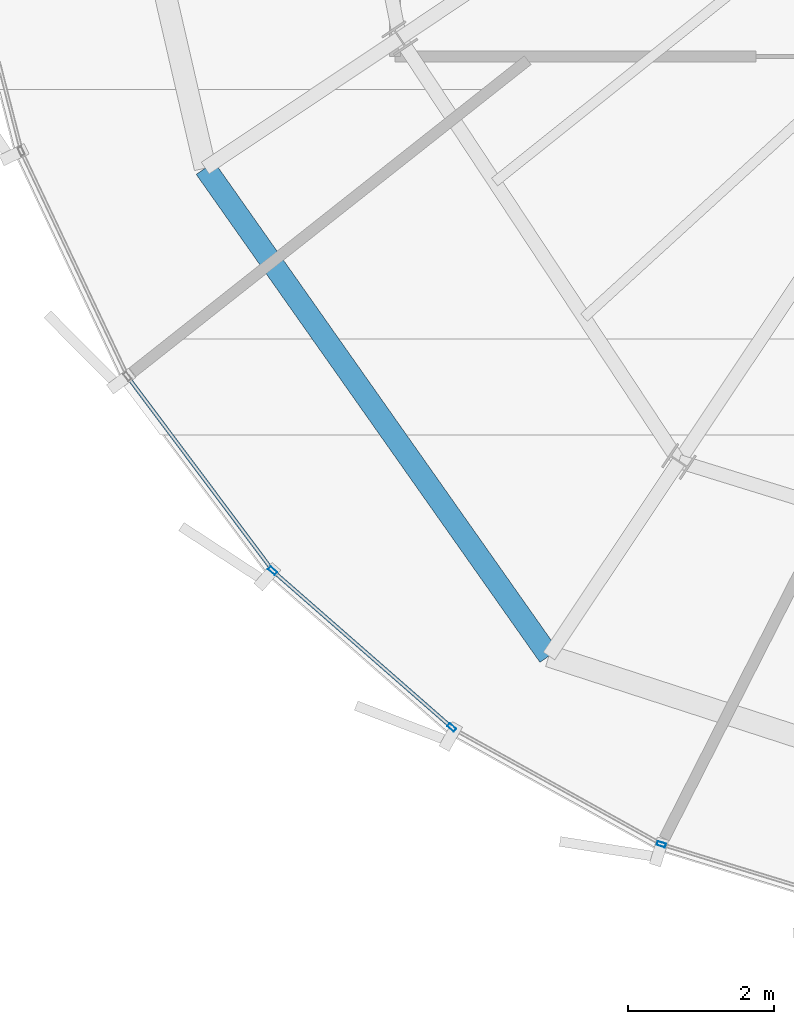
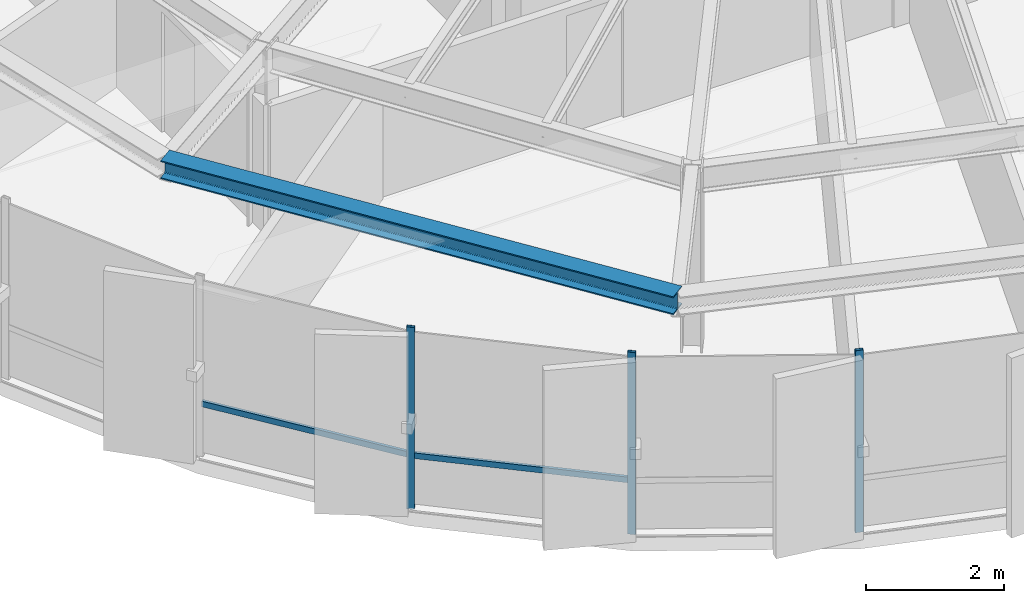
# One storey, part 2 of 33: 5 members, 1 beam, 2 elements without a shape of their own.
"""IFC4 building model written with IfcOpenShell, lengths in metres."""

from ifc_helpers import new_model, si_unit, direction, frame, origin, origin_2d, place, context, subcontext, project, spatial, hollow_rectangle, i_section, extrude, source, transform, mapped, material, layer, layer_set, material_profile, profile_set, type_object, element, aggregate, save


model = new_model("IFC4")

# Units and contexts
model_context = context("Model", 3, precision=1e-05, world=origin(), true_north=direction((0.0, 1.0)))
body_context = subcontext(model_context, "Body", "Model", "MODEL_VIEW")
ifc_project = project(units=[si_unit("LENGTHUNIT", "METRE"), si_unit("AREAUNIT", "SQUARE_METRE"), si_unit("VOLUMEUNIT", "CUBIC_METRE"), si_unit("PLANEANGLEUNIT", "RADIAN"), si_unit("MASSUNIT", "GRAM", prefix="KILO"), si_unit("THERMODYNAMICTEMPERATUREUNIT", "KELVIN")], contexts=[model_context])

# Site, building, storey
site_placement = place(None, origin())
site = spatial("IfcSite", under=ifc_project, at=site_placement, CompositionType="ELEMENT")
building_placement = place(site_placement, origin())
building = spatial("IfcBuilding", under=site, at=building_placement, Name="Kethvar Cultural Tower", CompositionType="ELEMENT")
storey_placement = place(building_placement, frame((0.0, 0.0, 256.0)))
storey = spatial("IfcBuildingStorey", under=building, at=storey_placement, Name="L67", CompositionType="ELEMENT", Elevation=256.0)

# Beam
ifc_material_1 = material(Name="Steel S355J2", Category="steel")
ifc_material_profile_1 = material_profile(ifc_material_1, i_section(OverallWidth=0.300048828125, OverallDepth=0.320068359375, WebThickness=0.011474609375, FlangeThickness=0.0205078125, FilletRadius=0.027099609375, at=origin_2d()), Name="Steel S355J2 — HEB320")
ifc_profile_set_1 = profile_set([ifc_material_profile_1], Name="Steel S355J2 — HEB320")
beam_type = type_object("IfcBeamType", Name="BM-SP320", PredefinedType="SPANDREL", material=ifc_profile_set_1)
shared_shape_1 = source(origin(), body_context, "Body", "SweptSolid", [
    extrude(i_section(OverallWidth=0.300048828125, OverallDepth=0.320068359375, WebThickness=0.011474609375, FlangeThickness=0.0205078125, FilletRadius=0.027099609375, at=origin_2d()), origin(), (0.0, 0.0, 1.0), 8.16259765625),
])
beam_placement = place(storey_placement, frame((30.252197265625, 16.7431640625, 3.048095703125), z_axis=(0.575940812748, -0.817491394579, 0.0), x_axis=(0.817491394579, 0.575940812748, 0.0)))
element("IfcBeam", 1, at=beam_placement, inside=storey, type_object=beam_type, Name="L67 Perimeter Spandrel Beam SP-10", PredefinedType="SPANDREL", context=body_context, shape_type="MappedRepresentation", body=[
    mapped(shared_shape_1, transform((0.0, 0.0, 0.0), scale=1.0)),
])

# Curtain wall, members
ifc_material_2 = material(Name="Aluminium 6063-T6", Category="aluminium")
ifc_layer = layer(ifc_material_2, 0.179931640625, Name="Aluminium 6063-T6", Category="aluminium")
ifc_layer_set = layer_set([ifc_layer], Name="Aluminium 6063-T6 (180 mm)")
curtain_wall_type = type_object("IfcCurtainWallType", Name="CW-SYS-05-Z56", PredefinedType="NOTDEFINED", material=ifc_layer_set)
curtain_wall_1_placement = place(storey_placement, origin())
curtain_wall_1 = element("IfcCurtainWall", 2, at=curtain_wall_1_placement, inside=storey, type_object=curtain_wall_type, Name="L67 Curtain Wall Run 03", PredefinedType="NOTDEFINED")
ifc_material_profile_2 = material_profile(ifc_material_2, hollow_rectangle(XDim=0.054931640625, YDim=0.1201171875, WallThickness=0.00390625, at=origin_2d()), Name="Aluminium 6063-T6 — RHS120x55x4")
ifc_profile_set_2 = profile_set([ifc_material_profile_2], Name="Aluminium 6063-T6 — RHS120x55x4")
member_type_1 = type_object("IfcMemberType", Name="CW-SYS-05-Z56-MUL", PredefinedType="MULLION", material=ifc_profile_set_2)
shared_shape_2 = source(origin(), body_context, "Body", "SweptSolid", [
    extrude(hollow_rectangle(XDim=0.054931640625, YDim=0.1201171875, WallThickness=0.00390625, at=origin_2d()), origin(), (0.0, 0.0, 1.0), 3.2099609375),
])
member_1_placement = place(storey_placement, frame((31.173583984375, 11.237548828125, 0.0), z_axis=(0.0, 0.0, 1.0), x_axis=(0.658571262935, 0.752518366311, 0.0)))
member_1 = element("IfcMember", 3, at=member_1_placement, type_object=member_type_1, Name="CW-L67-R03 Mullion 6", PredefinedType="MULLION", context=body_context, shape_type="MappedRepresentation", body=[
    mapped(shared_shape_2, transform((0.0, 0.0, 0.0), scale=1.0)),
])
member_2_placement = place(storey_placement, frame((33.622802734375, 9.093994140625, 0.0), z_axis=(0.0, 0.0, 1.0), x_axis=(0.658571262935, 0.752518366311, 0.0)))
member_2 = element("IfcMember", 4, at=member_2_placement, type_object=member_type_1, Name="CW-L67-R03 Mullion 7", PredefinedType="MULLION", context=body_context, shape_type="MappedRepresentation", body=[
    mapped(shared_shape_2, transform((0.0, 0.0, 0.0), scale=1.0)),
])

# Curtain wall, member
curtain_wall_2_placement = place(storey_placement, origin())
curtain_wall_2 = element("IfcCurtainWall", 5, at=curtain_wall_2_placement, inside=storey, type_object=curtain_wall_type, Name="L67 Curtain Wall Run 04", PredefinedType="NOTDEFINED")
member_3_placement = place(storey_placement, frame((36.49072265625, 7.4951171875, 0.0), z_axis=(0.0, 0.0, 1.0), x_axis=(0.292355014012, 0.956309858666, 0.0)))
member_3 = element("IfcMember", 6, at=member_3_placement, type_object=member_type_1, Name="CW-L67-R04 Mullion 2", PredefinedType="MULLION", context=body_context, shape_type="MappedRepresentation", body=[
    mapped(shared_shape_2, transform((0.0, 0.0, 0.0), scale=1.0)),
])
aggregate(curtain_wall_2, [member_3])

# Member
ifc_material_profile_3 = material_profile(ifc_material_2, hollow_rectangle(XDim=0.050048828125, YDim=0.10009765625, WallThickness=0.00390625, at=origin_2d()), Name="Aluminium 6063-T6 — RHS100x50x4")
ifc_profile_set_3 = profile_set([ifc_material_profile_3], Name="Aluminium 6063-T6 — RHS100x50x4")
member_type_2 = type_object("IfcMemberType", Name="CW-SYS-05-Z56-TRN", PredefinedType="USERDEFINED", material=ifc_profile_set_3)
shared_shape_3 = source(origin(), body_context, "Body", "SweptSolid", [
    extrude(hollow_rectangle(XDim=0.050048828125, YDim=0.10009765625, WallThickness=0.00390625, at=origin_2d()), origin(), (0.0, 0.0, 1.0), 3.258544921875),
])
member_4_placement = place(storey_placement, frame((29.212158203125, 13.863037109375, 0.949951171875), z_axis=(0.599028524907, -0.800727685514, 0.0), x_axis=(0.800727685514, 0.599028524907, 0.0)))
member_4 = element("IfcMember", 7, at=member_4_placement, type_object=member_type_2, Name="CW-L67-R03 Transom 5", ObjectType="TRANSOM", PredefinedType="USERDEFINED", context=body_context, shape_type="MappedRepresentation", body=[
    mapped(shared_shape_3, transform((0.0, 0.0, 0.0), scale=1.0)),
])

shared_shape_4 = source(origin(), body_context, "Body", "SweptSolid", [
    extrude(hollow_rectangle(XDim=0.050048828125, YDim=0.10009765625, WallThickness=0.00390625, at=origin_2d()), origin(), (0.0, 0.0, 1.0), 3.211181640625),
])
member_5_placement = place(storey_placement, frame((31.203369140625, 11.21142578125, 0.949951171875), z_axis=(0.752529595512, -0.658558431635, 0.0), x_axis=(0.658558431635, 0.752529595512, 0.0)))
member_5 = element("IfcMember", 8, at=member_5_placement, type_object=member_type_2, Name="CW-L67-R03 Transom 6", ObjectType="TRANSOM", PredefinedType="USERDEFINED", context=body_context, shape_type="MappedRepresentation", body=[
    mapped(shared_shape_4, transform((0.0, 0.0, 0.0), scale=1.0)),
])

aggregate(curtain_wall_1, [member_1, member_2, member_4, member_5])

save(model, "model.ifc")
